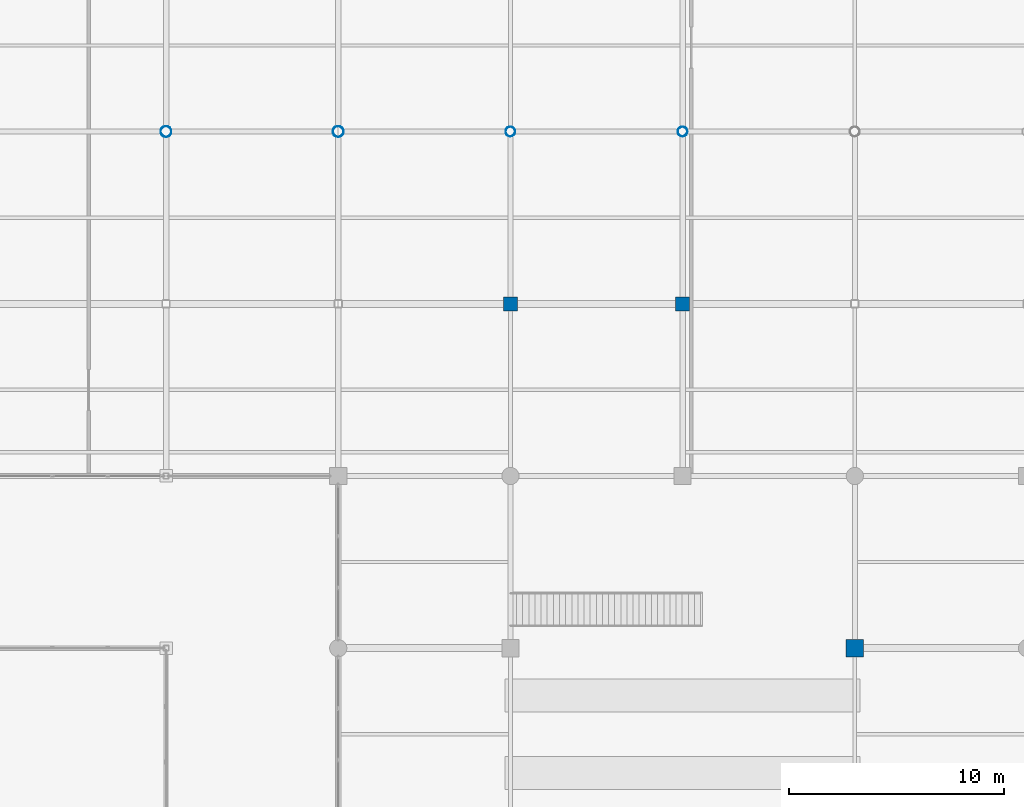
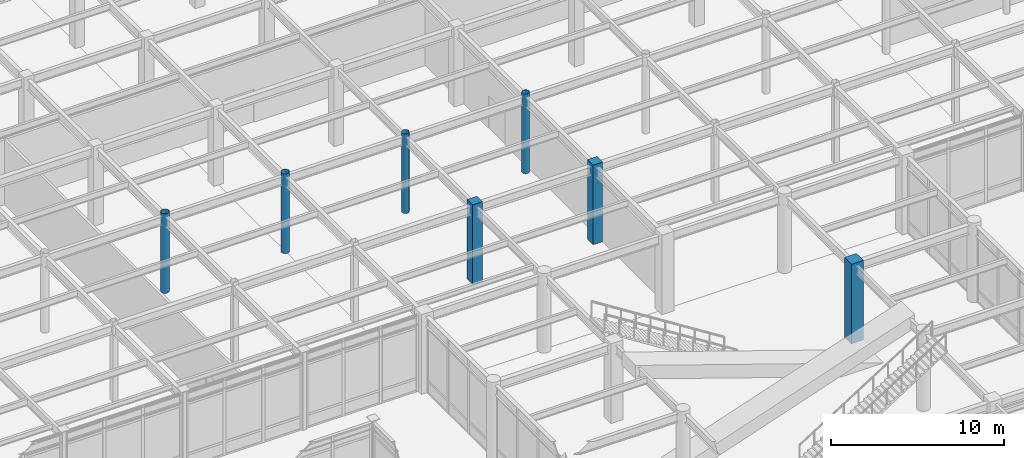
# One storey, part 18 of 128: 7 columns.
"""IFC4 building model written with IfcOpenShell, lengths in metres."""

import ifcopenshell
import ifcopenshell.guid

model = None  # the IFC model being written
_history = None  # IfcOwnerHistory: only IFC2X3 demands one
_inside = {}  # id of a spatial element -> (the spatial element, [elements in it])
_under = {}  # id of a project, library or spatial element -> (it, [spatial elements below it])
_declared = {}  # id of a project -> (the project, [libraries it declares])
_typed = {}  # id of a type object -> (the type object, [elements of that type])
_made_of = {}  # id of a material, layer set ... -> (it, [elements and type objects made of it])


def new_model(schema):
    """Start an empty IFC model of exactly this schema.

    Asked for "IFC4X3", IfcOpenShell would pick the latest addendum, in which some entities
    have other attributes; the version numbers below select the first issue.
    IFC2X3 requires an IfcOwnerHistory on every rooted entity: one is made here for all.
    """
    global model, _history
    if schema == "IFC4X3":
        model = ifcopenshell.file(schema_version=(4, 3, 0, 0))
    else:
        model = ifcopenshell.file(schema=schema)
    _inside.clear()
    _under.clear()
    _declared.clear()
    _typed.clear()
    _made_of.clear()
    _history = None
    if model.schema == "IFC2X3":
        org = make("IfcOrganization", Name="unknown")
        user = make(
            "IfcPersonAndOrganization",
            ThePerson=make("IfcPerson", FamilyName="unknown"),
            TheOrganization=org,
        )
        app = make(
            "IfcApplication",
            ApplicationDeveloper=org,
            Version="unknown",
            ApplicationFullName="unknown",
            ApplicationIdentifier="unknown",
        )
        _history = make(
            "IfcOwnerHistory",
            OwningUser=user,
            OwningApplication=app,
            ChangeAction="ADDED",
            CreationDate=0,
        )
    return model


def make(cls, **values):
    """One entity of the class cls with the attributes given. An attribute that is None is left unset."""
    return model.create_entity(
        cls, **{name: value for name, value in values.items() if value is not None}
    )


def rooted(cls, **values):
    """An entity with a GlobalId (a new one), such as an element, a storey or a relation."""
    return make(cls, GlobalId=ifcopenshell.guid.new(), OwnerHistory=_history, **values)


def si_unit(unit_type, name, prefix=None):
    """IfcSIUnit, for example si_unit("LENGTHUNIT", "METRE", prefix="MILLI")."""
    return make("IfcSIUnit", UnitType=unit_type, Prefix=prefix, Name=name)


def assignment(units):
    """IfcUnitAssignment: the units of a project."""
    return None if units is None else make("IfcUnitAssignment", Units=units)


def point(xyz):
    """IfcCartesianPoint."""
    return None if xyz is None else make("IfcCartesianPoint", Coordinates=xyz)


def direction(xyz):
    """IfcDirection."""
    return None if xyz is None else make("IfcDirection", DirectionRatios=xyz)


def frame(location, z_axis=None, x_axis=None):
    """IfcAxis2Placement3D, a coordinate frame: its origin and axes. An axis left out is left unset."""
    return make(
        "IfcAxis2Placement3D",
        Location=point(location),
        Axis=direction(z_axis),
        RefDirection=direction(x_axis),
    )


def frame_2d(location, x_axis=None):
    """IfcAxis2Placement2D, a coordinate frame in the plane: its origin and x axis."""
    return make(
        "IfcAxis2Placement2D", Location=point(location), RefDirection=direction(x_axis)
    )


def origin():
    """The frame at (0, 0, 0) with its axes left unset."""
    return frame((0.0, 0.0, 0.0))


def origin_2d():
    """The frame at (0, 0) in the plane with its x axis left unset."""
    return frame_2d((0.0, 0.0))


def place(relative_to, where):
    """IfcLocalPlacement: puts the frame where relative to a parent placement (None: the world)."""
    return make(
        "IfcLocalPlacement", PlacementRelTo=relative_to, RelativePlacement=where
    )


def context(
    kind, dimensions, precision=None, world=None, true_north=None, identifier=None
):
    """IfcGeometricRepresentationContext, for example the 3D "Model" context."""
    return make(
        "IfcGeometricRepresentationContext",
        ContextIdentifier=identifier,
        ContextType=kind,
        CoordinateSpaceDimension=dimensions,
        Precision=precision,
        WorldCoordinateSystem=world,
        TrueNorth=true_north,
    )


def subcontext(parent, identifier, kind, view, scale=None):
    """IfcGeometricRepresentationSubContext, for example "Body" below "Model"."""
    return make(
        "IfcGeometricRepresentationSubContext",
        ContextIdentifier=identifier,
        ContextType=kind,
        ParentContext=parent,
        TargetScale=scale,
        TargetView=view,
    )


def project(units=None, contexts=None):
    """IfcProject with its units and contexts."""
    return rooted(
        "IfcProject",
        Name="project",
        RepresentationContexts=contexts,
        UnitsInContext=assignment(units),
    )


def spatial(cls, under=None, at=None, **own):
    """A site, building, storey or space (cls), placed at a placement, below another one or the project."""
    s = rooted(cls, ObjectPlacement=at, **own)
    if under is not None:
        _under.setdefault(under.id(), (under, []))[1].append(s)
    return s


def profile(cls, at=None, kind="AREA", **sizes):
    """A parametric profile (cls). Its sizes go by their IFC names, for example OverallWidth=200.0."""
    return make(cls, ProfileType=kind, Position=at, **sizes)


def rectangle(**sizes):
    """IfcRectangleProfileDef."""
    return profile("IfcRectangleProfileDef", **sizes)


def hollow_circle(**sizes):
    """IfcCircleHollowProfileDef."""
    return profile("IfcCircleHollowProfileDef", **sizes)


def extrude(swept, where, along, depth):
    """IfcExtrudedAreaSolid: the profile swept, set in the frame where, extruded along a direction by depth."""
    return make(
        "IfcExtrudedAreaSolid",
        SweptArea=swept,
        Position=where,
        ExtrudedDirection=direction(along),
        Depth=depth,
    )


def shape(context_of_items, identifier, shape_type, items):
    """IfcShapeRepresentation: the items that make up one representation, for example the "Body"."""
    return make(
        "IfcShapeRepresentation",
        ContextOfItems=context_of_items,
        RepresentationIdentifier=identifier,
        RepresentationType=shape_type,
        Items=items,
    )


def material(Name=None, Category=None):
    """IfcMaterial."""
    return make("IfcMaterial", Name=Name, Category=Category)


def material_profile(
    of_material, cross_section, Name=None, Category=None, Priority=None
):
    """IfcMaterialProfile: a cross section and its material."""
    return make(
        "IfcMaterialProfile",
        Name=Name,
        Material=of_material,
        Profile=cross_section,
        Priority=Priority,
        Category=Category,
    )


def profile_set(profiles, Name=None, composite=None):
    """IfcMaterialProfileSet."""
    return make(
        "IfcMaterialProfileSet",
        Name=Name,
        MaterialProfiles=profiles,
        CompositeProfile=composite,
    )


def made_of(thing, what):
    """Note that an element or type object is made of a material, layer set ...; save() writes the relation."""
    if what is not None:
        _made_of.setdefault(what.id(), (what, []))[1].append(thing)
    return thing


def type_object(cls, material=None, **own):
    """A type object (cls), such as IfcWallType, which elements share."""
    return made_of(rooted(cls, **own), material)


def element(
    cls,
    number,
    at=None,
    inside=None,
    cuts=None,
    type_object=None,
    material=None,
    context=None,
    identifier="Body",
    shape_type=None,
    held_by="IfcProductDefinitionShape",
    body=None,
    shapes=None,
    **own,
):
    """One element of the class cls, such as IfcWall. Its Tag is "e" and its number.

    at: its placement. inside: the storey or other place that contains it. cuts: it is an
    opening in that element (IfcRelVoidsElement). A single representation is given by context,
    identifier, shape_type and body (its items); several are given by shapes. held_by: the class
    of the entity that holds the representations. save() writes the other relations.
    """
    e = rooted(cls, Tag="e%d" % number, ObjectPlacement=at, **own)
    if body is not None:
        shapes = [shape(context, identifier, shape_type, body)]
    if shapes is not None:
        e.Representation = make(held_by, Representations=shapes)
    if inside is not None:
        _inside.setdefault(inside.id(), (inside, []))[1].append(e)
    if cuts is not None:
        rooted(
            "IfcRelVoidsElement", RelatingBuildingElement=cuts, RelatedOpeningElement=e
        )
    if type_object is not None:
        _typed.setdefault(type_object.id(), (type_object, []))[1].append(e)
    return made_of(e, material)


def aggregate(whole, parts):
    """IfcRelAggregates: a whole, such as a stair, and the parts it consists of."""
    return rooted("IfcRelAggregates", RelatingObject=whole, RelatedObjects=parts)


def save(model, path):
    """Write the relations noted so far, then the file.

    IfcRelAggregates (storeys below a building ...), IfcRelContainedInSpatialStructure (elements
    in a storey), IfcRelDefinesByType, IfcRelAssociatesMaterial and IfcRelDeclares: one each for
    every whole, place, type object, material and project.
    """
    for whole, parts in _under.values():
        aggregate(whole, parts)
    for where, things in _inside.values():
        rooted(
            "IfcRelContainedInSpatialStructure",
            RelatedElements=things,
            RelatingStructure=where,
        )
    for kind, things in _typed.values():
        rooted("IfcRelDefinesByType", RelatedObjects=things, RelatingType=kind)
    for what, things in _made_of.values():
        rooted("IfcRelAssociatesMaterial", RelatedObjects=things, RelatingMaterial=what)
    for by, libraries in _declared.values():
        rooted("IfcRelDeclares", RelatingContext=by, RelatedDefinitions=libraries)
    model.write(path)


model = new_model("IFC4")

# Units and contexts
model_context = context("Model", 3, precision=1e-05, world=origin(), true_north=direction((0.0, 1.0)))
body_context = subcontext(model_context, "Body", "Model", "MODEL_VIEW")
ifc_project = project(units=[si_unit("LENGTHUNIT", "METRE"), si_unit("AREAUNIT", "SQUARE_METRE"), si_unit("VOLUMEUNIT", "CUBIC_METRE"), si_unit("PLANEANGLEUNIT", "RADIAN"), si_unit("MASSUNIT", "GRAM", prefix="KILO")], contexts=[model_context])

# Site, building, storey
site_placement = place(None, origin())
site = spatial("IfcSite", under=ifc_project, at=site_placement, CompositionType="ELEMENT")
building_placement = place(site_placement, origin())
building = spatial("IfcBuilding", under=site, at=building_placement, Name="Solmirada Galleria", CompositionType="ELEMENT")
storey_placement = place(building_placement, origin())
storey = spatial("IfcBuildingStorey", under=building, at=storey_placement, Name="L00", CompositionType="ELEMENT", Elevation=0.0)

# Columns
ifc_material_1 = material(Name="Steel S355 / ASTM A500 Grade C", Category="steel")
ifc_material_profile_1 = material_profile(ifc_material_1, hollow_circle(Radius=0.228515625, WallThickness=0.01171875, at=origin_2d()), Name="HSS18.000X0.500")
ifc_profile_set_1 = profile_set([ifc_material_profile_1], Name="Steel S355 / ASTM A500 Grade C")
column_type_1 = type_object("IfcColumnType", Name="COL-CHS18", PredefinedType="COLUMN", material=ifc_profile_set_1)
for number, where, z_axis, x_axis, name in (
    (1, (88.0, 88.0, 0.0), (0.0, 0.0, 1.0), (1.0, 0.0, 0.0), "Structural column L00-0550"),
    (2, (96.0, 88.0, 0.0), (0.0, 0.0, 1.0), (1.0, 0.0, 0.0), "Structural column L00-0658"),
):
    element("IfcColumn", number, at=place(storey_placement, frame(where, z_axis=z_axis, x_axis=x_axis)), inside=storey, type_object=column_type_1, Name=name, PredefinedType="COLUMN", context=body_context, shape_type="SweptSolid", body=[
        extrude(hollow_circle(Radius=0.228515625, WallThickness=0.01171875, at=origin_2d()), origin(), (0.0, 0.0, 1.0), 5.60009765625),
    ])
ifc_material_profile_2 = material_profile(ifc_material_1, hollow_circle(Radius=0.25390625, WallThickness=0.01171875, at=origin_2d()), Name="HSS20.000X0.500")
ifc_profile_set_2 = profile_set([ifc_material_profile_2], Name="Steel S355 / ASTM A500 Grade C")
column_type_2 = type_object("IfcColumnType", Name="COL-CHS20", PredefinedType="COLUMN", material=ifc_profile_set_2)
for number, where, z_axis, x_axis, name in (
    (3, (72.0, 88.0, 0.0), (0.0, 0.0, 1.0), (1.0, 0.0, 0.0), "Structural column L00-0311"),
    (4, (80.0, 88.0, 0.0), (0.0, 0.0, 1.0), (1.0, 0.0, 0.0), "Structural column L00-0428"),
):
    element("IfcColumn", number, at=place(storey_placement, frame(where, z_axis=z_axis, x_axis=x_axis)), inside=storey, type_object=column_type_2, Name=name, PredefinedType="COLUMN", context=body_context, shape_type="SweptSolid", body=[
        extrude(hollow_circle(Radius=0.25390625, WallThickness=0.01171875, at=origin_2d()), origin(), (0.0, 0.0, 1.0), 5.60009765625),
    ])
ifc_material_2 = material(Name="Concrete C40/50", Category="concrete")
ifc_material_profile_3 = material_profile(ifc_material_2, rectangle(XDim=0.64990234375, YDim=0.64990234375, at=origin_2d()), Name="RC650X650")
ifc_profile_set_3 = profile_set([ifc_material_profile_3], Name="Concrete C40/50")
column_type_3 = type_object("IfcColumnType", Name="COL-RC650", PredefinedType="COLUMN", material=ifc_profile_set_3)
for number, where, z_axis, x_axis, name in (
    (5, (88.0, 80.0, 0.0), (0.0, 0.0, 1.0), (1.0, 0.0, 0.0), "Structural column L00-0543"),
    (6, (96.0, 80.0, 0.0), (0.0, 0.0, 1.0), (1.0, 0.0, 0.0), "Structural column L00-0651"),
):
    element("IfcColumn", number, at=place(storey_placement, frame(where, z_axis=z_axis, x_axis=x_axis)), inside=storey, type_object=column_type_3, Name=name, PredefinedType="COLUMN", context=body_context, shape_type="SweptSolid", body=[
        extrude(rectangle(XDim=0.64990234375, YDim=0.64990234375, at=origin_2d()), origin(), (0.0, 0.0, 1.0), 5.60009765625),
    ])
ifc_material_profile_4 = material_profile(ifc_material_2, rectangle(XDim=0.800048828125, YDim=0.800048828125, at=origin_2d()), Name="RC800X800")
ifc_profile_set_4 = profile_set([ifc_material_profile_4], Name="Concrete C40/50")
column_type_4 = type_object("IfcColumnType", Name="COL-RC800", PredefinedType="COLUMN", material=ifc_profile_set_4)
column_placement = place(storey_placement, frame((104.0, 64.0, 0.0), z_axis=(0.0, 0.0, 1.0), x_axis=(1.0, 0.0, 0.0)))
element("IfcColumn", 7, at=column_placement, inside=storey, type_object=column_type_4, Name="Structural column L00-0750", PredefinedType="COLUMN", context=body_context, shape_type="SweptSolid", body=[
    extrude(rectangle(XDim=0.800048828125, YDim=0.800048828125, at=origin_2d()), origin(), (0.0, 0.0, 1.0), 5.60009765625),
])

save(model, "model.ifc")
